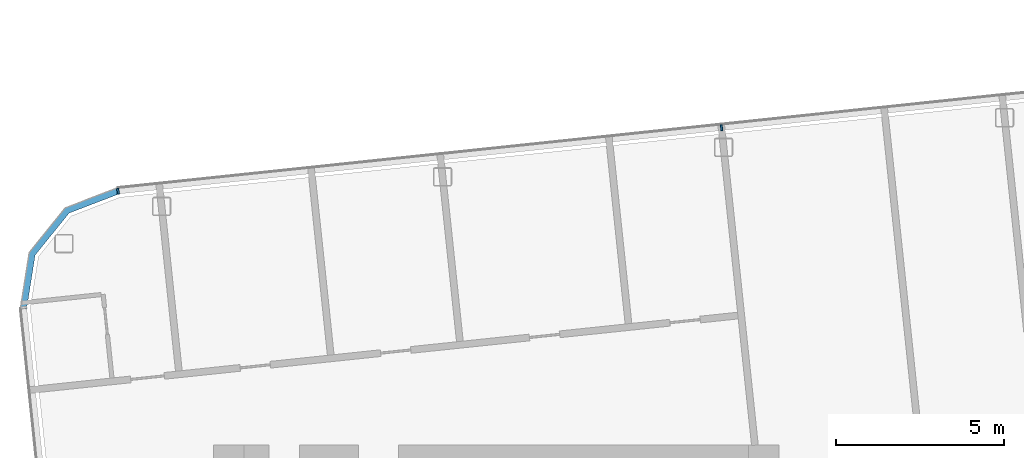
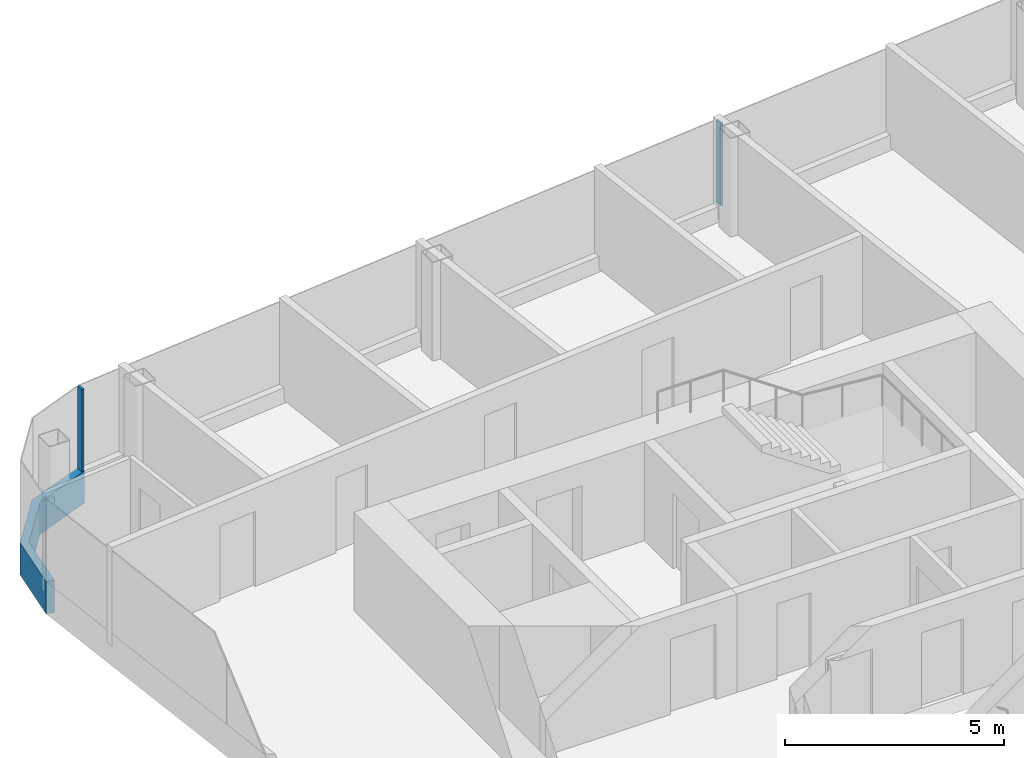
# One storey, part 8 of 26: 3 members, 2 elements without a shape of their own.
"""IFC4 building model written with IfcOpenShell, lengths in metres."""

import ifcopenshell
import ifcopenshell.guid

model = None  # the IFC model being written
_history = None  # IfcOwnerHistory: only IFC2X3 demands one
_inside = {}  # id of a spatial element -> (the spatial element, [elements in it])
_under = {}  # id of a project, library or spatial element -> (it, [spatial elements below it])
_declared = {}  # id of a project -> (the project, [libraries it declares])
_typed = {}  # id of a type object -> (the type object, [elements of that type])
_made_of = {}  # id of a material, layer set ... -> (it, [elements and type objects made of it])


def new_model(schema):
    """Start an empty IFC model of exactly this schema.

    Asked for "IFC4X3", IfcOpenShell would pick the latest addendum, in which some entities
    have other attributes; the version numbers below select the first issue.
    IFC2X3 requires an IfcOwnerHistory on every rooted entity: one is made here for all.
    """
    global model, _history
    if schema == "IFC4X3":
        model = ifcopenshell.file(schema_version=(4, 3, 0, 0))
    else:
        model = ifcopenshell.file(schema=schema)
    _inside.clear()
    _under.clear()
    _declared.clear()
    _typed.clear()
    _made_of.clear()
    _history = None
    if model.schema == "IFC2X3":
        org = make("IfcOrganization", Name="unknown")
        user = make(
            "IfcPersonAndOrganization",
            ThePerson=make("IfcPerson", FamilyName="unknown"),
            TheOrganization=org,
        )
        app = make(
            "IfcApplication",
            ApplicationDeveloper=org,
            Version="unknown",
            ApplicationFullName="unknown",
            ApplicationIdentifier="unknown",
        )
        _history = make(
            "IfcOwnerHistory",
            OwningUser=user,
            OwningApplication=app,
            ChangeAction="ADDED",
            CreationDate=0,
        )
    return model


def make(cls, **values):
    """One entity of the class cls with the attributes given. An attribute that is None is left unset."""
    return model.create_entity(
        cls, **{name: value for name, value in values.items() if value is not None}
    )


def rooted(cls, **values):
    """An entity with a GlobalId (a new one), such as an element, a storey or a relation."""
    return make(cls, GlobalId=ifcopenshell.guid.new(), OwnerHistory=_history, **values)


def si_unit(unit_type, name, prefix=None):
    """IfcSIUnit, for example si_unit("LENGTHUNIT", "METRE", prefix="MILLI")."""
    return make("IfcSIUnit", UnitType=unit_type, Prefix=prefix, Name=name)


def assignment(units):
    """IfcUnitAssignment: the units of a project."""
    return None if units is None else make("IfcUnitAssignment", Units=units)


def point(xyz):
    """IfcCartesianPoint."""
    return None if xyz is None else make("IfcCartesianPoint", Coordinates=xyz)


def direction(xyz):
    """IfcDirection."""
    return None if xyz is None else make("IfcDirection", DirectionRatios=xyz)


def frame(location, z_axis=None, x_axis=None):
    """IfcAxis2Placement3D, a coordinate frame: its origin and axes. An axis left out is left unset."""
    return make(
        "IfcAxis2Placement3D",
        Location=point(location),
        Axis=direction(z_axis),
        RefDirection=direction(x_axis),
    )


def frame_2d(location, x_axis=None):
    """IfcAxis2Placement2D, a coordinate frame in the plane: its origin and x axis."""
    return make(
        "IfcAxis2Placement2D", Location=point(location), RefDirection=direction(x_axis)
    )


def origin():
    """The frame at (0, 0, 0) with its axes left unset."""
    return frame((0.0, 0.0, 0.0))


def origin_2d():
    """The frame at (0, 0) in the plane with its x axis left unset."""
    return frame_2d((0.0, 0.0))


def place(relative_to, where):
    """IfcLocalPlacement: puts the frame where relative to a parent placement (None: the world)."""
    return make(
        "IfcLocalPlacement", PlacementRelTo=relative_to, RelativePlacement=where
    )


def context(
    kind, dimensions, precision=None, world=None, true_north=None, identifier=None
):
    """IfcGeometricRepresentationContext, for example the 3D "Model" context."""
    return make(
        "IfcGeometricRepresentationContext",
        ContextIdentifier=identifier,
        ContextType=kind,
        CoordinateSpaceDimension=dimensions,
        Precision=precision,
        WorldCoordinateSystem=world,
        TrueNorth=true_north,
    )


def subcontext(parent, identifier, kind, view, scale=None):
    """IfcGeometricRepresentationSubContext, for example "Body" below "Model"."""
    return make(
        "IfcGeometricRepresentationSubContext",
        ContextIdentifier=identifier,
        ContextType=kind,
        ParentContext=parent,
        TargetScale=scale,
        TargetView=view,
    )


def project(units=None, contexts=None):
    """IfcProject with its units and contexts."""
    return rooted(
        "IfcProject",
        Name="project",
        RepresentationContexts=contexts,
        UnitsInContext=assignment(units),
    )


def spatial(cls, under=None, at=None, **own):
    """A site, building, storey or space (cls), placed at a placement, below another one or the project."""
    s = rooted(cls, ObjectPlacement=at, **own)
    if under is not None:
        _under.setdefault(under.id(), (under, []))[1].append(s)
    return s


def polyline(points):
    """IfcPolyline through the points."""
    return make("IfcPolyline", Points=[point(p) for p in points])


def profile(cls, at=None, kind="AREA", **sizes):
    """A parametric profile (cls). Its sizes go by their IFC names, for example OverallWidth=200.0."""
    return make(cls, ProfileType=kind, Position=at, **sizes)


def rectangle(**sizes):
    """IfcRectangleProfileDef."""
    return profile("IfcRectangleProfileDef", **sizes)


def outline(outer, holes=None, kind="AREA"):
    """IfcArbitraryClosedProfileDef: a profile drawn as a closed curve; with holes, ...WithVoids."""
    if holes is None:
        return make("IfcArbitraryClosedProfileDef", ProfileType=kind, OuterCurve=outer)
    return make(
        "IfcArbitraryProfileDefWithVoids",
        ProfileType=kind,
        OuterCurve=outer,
        InnerCurves=holes,
    )


def extrude(swept, where, along, depth):
    """IfcExtrudedAreaSolid: the profile swept, set in the frame where, extruded along a direction by depth."""
    return make(
        "IfcExtrudedAreaSolid",
        SweptArea=swept,
        Position=where,
        ExtrudedDirection=direction(along),
        Depth=depth,
    )


def shape(context_of_items, identifier, shape_type, items):
    """IfcShapeRepresentation: the items that make up one representation, for example the "Body"."""
    return make(
        "IfcShapeRepresentation",
        ContextOfItems=context_of_items,
        RepresentationIdentifier=identifier,
        RepresentationType=shape_type,
        Items=items,
    )


def material(Name=None, Category=None):
    """IfcMaterial."""
    return make("IfcMaterial", Name=Name, Category=Category)


def layer(
    of_material, thickness, ventilated=None, Name=None, Category=None, Priority=None
):
    """IfcMaterialLayer: one layer of a wall or slab, of a material (None: an air gap)."""
    return make(
        "IfcMaterialLayer",
        Material=of_material,
        LayerThickness=thickness,
        IsVentilated=ventilated,
        Name=Name,
        Category=Category,
        Priority=Priority,
    )


def layer_set(layers, Name=None):
    """IfcMaterialLayerSet."""
    return make("IfcMaterialLayerSet", MaterialLayers=layers, LayerSetName=Name)


def material_profile(
    of_material, cross_section, Name=None, Category=None, Priority=None
):
    """IfcMaterialProfile: a cross section and its material."""
    return make(
        "IfcMaterialProfile",
        Name=Name,
        Material=of_material,
        Profile=cross_section,
        Priority=Priority,
        Category=Category,
    )


def profile_set(profiles, Name=None, composite=None):
    """IfcMaterialProfileSet."""
    return make(
        "IfcMaterialProfileSet",
        Name=Name,
        MaterialProfiles=profiles,
        CompositeProfile=composite,
    )


def made_of(thing, what):
    """Note that an element or type object is made of a material, layer set ...; save() writes the relation."""
    if what is not None:
        _made_of.setdefault(what.id(), (what, []))[1].append(thing)
    return thing


def type_object(cls, material=None, **own):
    """A type object (cls), such as IfcWallType, which elements share."""
    return made_of(rooted(cls, **own), material)


def element(
    cls,
    number,
    at=None,
    inside=None,
    cuts=None,
    type_object=None,
    material=None,
    context=None,
    identifier="Body",
    shape_type=None,
    held_by="IfcProductDefinitionShape",
    body=None,
    shapes=None,
    **own,
):
    """One element of the class cls, such as IfcWall. Its Tag is "e" and its number.

    at: its placement. inside: the storey or other place that contains it. cuts: it is an
    opening in that element (IfcRelVoidsElement). A single representation is given by context,
    identifier, shape_type and body (its items); several are given by shapes. held_by: the class
    of the entity that holds the representations. save() writes the other relations.
    """
    e = rooted(cls, Tag="e%d" % number, ObjectPlacement=at, **own)
    if body is not None:
        shapes = [shape(context, identifier, shape_type, body)]
    if shapes is not None:
        e.Representation = make(held_by, Representations=shapes)
    if inside is not None:
        _inside.setdefault(inside.id(), (inside, []))[1].append(e)
    if cuts is not None:
        rooted(
            "IfcRelVoidsElement", RelatingBuildingElement=cuts, RelatedOpeningElement=e
        )
    if type_object is not None:
        _typed.setdefault(type_object.id(), (type_object, []))[1].append(e)
    return made_of(e, material)


def aggregate(whole, parts):
    """IfcRelAggregates: a whole, such as a stair, and the parts it consists of."""
    return rooted("IfcRelAggregates", RelatingObject=whole, RelatedObjects=parts)


def save(model, path):
    """Write the relations noted so far, then the file.

    IfcRelAggregates (storeys below a building ...), IfcRelContainedInSpatialStructure (elements
    in a storey), IfcRelDefinesByType, IfcRelAssociatesMaterial and IfcRelDeclares: one each for
    every whole, place, type object, material and project.
    """
    for whole, parts in _under.values():
        aggregate(whole, parts)
    for where, things in _inside.values():
        rooted(
            "IfcRelContainedInSpatialStructure",
            RelatedElements=things,
            RelatingStructure=where,
        )
    for kind, things in _typed.values():
        rooted("IfcRelDefinesByType", RelatedObjects=things, RelatingType=kind)
    for what, things in _made_of.values():
        rooted("IfcRelAssociatesMaterial", RelatedObjects=things, RelatingMaterial=what)
    for by, libraries in _declared.values():
        rooted("IfcRelDeclares", RelatingContext=by, RelatedDefinitions=libraries)
    model.write(path)


model = new_model("IFC4")

# Units and contexts
model_context = context("Model", 3, precision=1e-05, world=origin(), true_north=direction((0.0, 1.0)))
body_context = subcontext(model_context, "Body", "Model", "MODEL_VIEW")
ifc_project = project(units=[si_unit("LENGTHUNIT", "METRE"), si_unit("AREAUNIT", "SQUARE_METRE"), si_unit("VOLUMEUNIT", "CUBIC_METRE"), si_unit("PLANEANGLEUNIT", "RADIAN"), si_unit("MASSUNIT", "GRAM", prefix="KILO")], contexts=[model_context])

# Site, building, storey
site_placement = place(None, origin())
site = spatial("IfcSite", under=ifc_project, at=site_placement, CompositionType="ELEMENT")
building_placement = place(site_placement, origin())
building = spatial("IfcBuilding", under=site, at=building_placement, Name="Hakoniwa Tower and Hamabe Station Hall", CompositionType="ELEMENT")
storey_placement = place(building_placement, frame((0.0, 0.0, 251.800048828125)))
storey = spatial("IfcBuildingStorey", under=building, at=storey_placement, Name="L71", CompositionType="ELEMENT", Elevation=251.800048828125)

# Curtain wall, member
ifc_material_1 = material(Name="Dark low-e laminated glass", Category="glass")
ifc_layer = layer(ifc_material_1, 0.199951171875)
ifc_layer_set = layer_set([ifc_layer], Name="CW-1 UNITISED GUEST")
curtain_wall_type = type_object("IfcCurtainWallType", Name="CW-1 UNITISED GUEST", PredefinedType="NOTDEFINED", material=ifc_layer_set)
curtain_wall_1_placement = place(storey_placement, origin())
curtain_wall_1 = element("IfcCurtainWall", 1, at=curtain_wall_1_placement, inside=storey, type_object=curtain_wall_type, Name="CW-1 curtain wall", PredefinedType="NOTDEFINED")
ifc_material_2 = material(Name="Aluminium 6063-T5 black anodised", Category="aluminium")
ifc_material_profile_1 = material_profile(ifc_material_2, rectangle(XDim=0.199951171875, YDim=0.89990234375, at=origin_2d()), Name="CW SLAB-EDGE BAND 900X200")
ifc_profile_set_1 = profile_set([ifc_material_profile_1], Name="Aluminium 6063-T5 black anodised")
member_type_1 = type_object("IfcMemberType", Name="CW SLAB-EDGE BAND 900X200", PredefinedType="USERDEFINED", material=ifc_profile_set_1)
member_1_placement = place(storey_placement, frame((0.0, 0.0, -0.550048828125)))
member_1 = element("IfcMember", 2, at=member_1_placement, type_object=member_type_1, Name="CW-1 transom", ObjectType="TRANSOM", PredefinedType="USERDEFINED", context=body_context, shape_type="SweptSolid", body=[
    extrude(outline(polyline([(-36.45703125, 16.0634765625), (-38.0185546875, 15.464111328125), (-39.09716796875, 14.13232421875), (-39.35888671875, 12.47998046875), (-39.161376953125, 12.44873046875), (-38.907958984375, 14.048095703125), (-37.89697265625, 15.296630859375), (-36.38525390625, 15.876708984375), (-36.45703125, 16.0634765625)])), origin(), (0.0, 0.0, 1.0), 0.89990234375),
])
aggregate(curtain_wall_1, [member_1])

# Curtain wall, members
curtain_wall_2_placement = place(storey_placement, origin())
curtain_wall_2 = element("IfcCurtainWall", 3, at=curtain_wall_2_placement, inside=storey, type_object=curtain_wall_type, Name="CW-1 curtain wall", PredefinedType="NOTDEFINED")
ifc_material_3 = material(Name="Aluminium 6063-T5 black anodised", Category="aluminium")
ifc_material_profile_2 = material_profile(ifc_material_3, rectangle(XDim=0.06005859375, YDim=0.179931640625, at=origin_2d()), Name="CW-1 MULLION 60X180")
ifc_profile_set_2 = profile_set([ifc_material_profile_2], Name="Aluminium 6063-T5 black anodised")
member_type_2 = type_object("IfcMemberType", Name="CW-1 MULLION 60X180", PredefinedType="MULLION", material=ifc_profile_set_2)
member_2_placement = place(storey_placement, frame((-18.50390625, 17.831787109375, 0.349853515625), z_axis=(0.0, 0.0, 1.0), x_axis=(-0.994521895272, -0.104528464188, 0.0)))
member_2 = element("IfcMember", 4, at=member_2_placement, type_object=member_type_2, Name="CW-1 mullion", PredefinedType="MULLION", context=body_context, shape_type="SweptSolid", body=[
    extrude(rectangle(XDim=0.06005859375, YDim=0.179931640625, at=origin_2d()), origin(), (0.0, 0.0, 1.0), 2.300048828125),
])
member_3_placement = place(storey_placement, frame((-36.444580078125, 15.946044921875, 0.349853515625), z_axis=(0.0, 0.0, 1.0), x_axis=(-0.994521895272, -0.104528464188, 0.0)))
member_3 = element("IfcMember", 5, at=member_3_placement, type_object=member_type_2, Name="CW-1 mullion", PredefinedType="MULLION", context=body_context, shape_type="SweptSolid", body=[
    extrude(rectangle(XDim=0.06005859375, YDim=0.179931640625, at=origin_2d()), origin(), (0.0, 0.0, 1.0), 2.300048828125),
])
aggregate(curtain_wall_2, [member_2, member_3])

save(model, "model.ifc")
